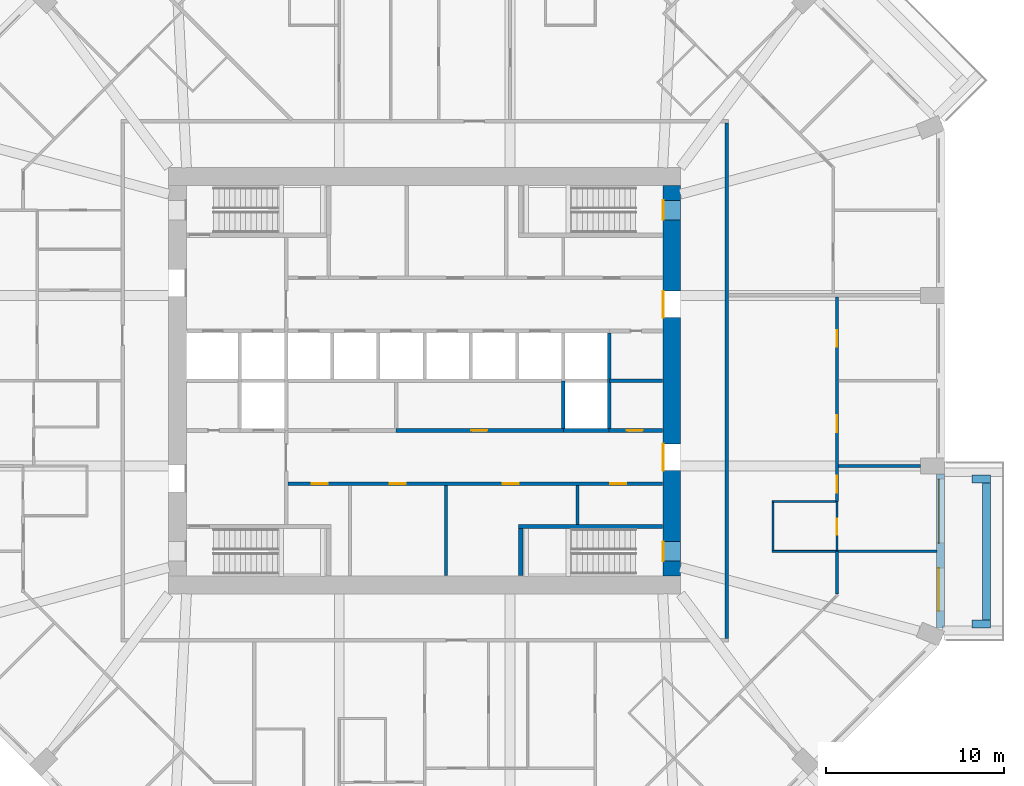
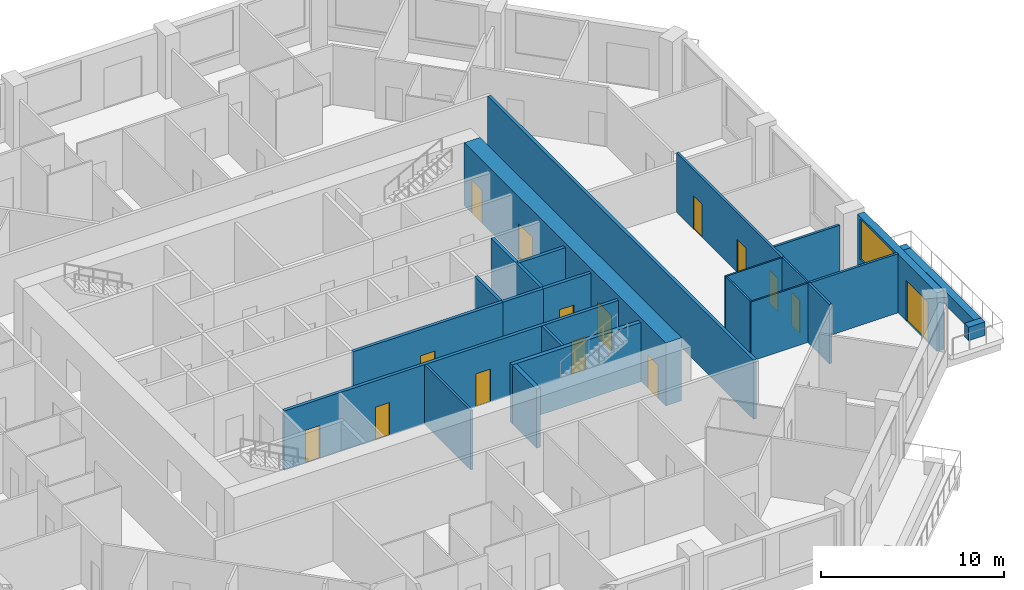
# One storey, part 6 of 13: 25 walls, 15 doors, 1 window, 16 openings.
"""IFC4 building model written with IfcOpenShell, lengths in metres."""

from ifc_helpers import new_model, si_unit, direction, frame, frame_2d, origin, place, context, subcontext, project, spatial, rectangle, extrude, material, layer, layer_set, type_object, element, fill, save


model = new_model("IFC4")

# Units and contexts
model_context = context("Model", 3, precision=1e-05, world=origin(), true_north=direction((0.0, 1.0)))
body_context = subcontext(model_context, "Body", "Model", "MODEL_VIEW")
ifc_project = project(units=[si_unit("LENGTHUNIT", "METRE"), si_unit("AREAUNIT", "SQUARE_METRE"), si_unit("VOLUMEUNIT", "CUBIC_METRE"), si_unit("PLANEANGLEUNIT", "RADIAN"), si_unit("MASSUNIT", "GRAM", prefix="KILO")], contexts=[model_context])

# Site, building, storey
site_placement = place(None, origin())
site = spatial("IfcSite", under=ifc_project, at=site_placement, CompositionType="ELEMENT")
building_placement = place(site_placement, origin())
building = spatial("IfcBuilding", under=site, at=building_placement, Name="Msitu Wima Residences", CompositionType="ELEMENT")
storey_placement = place(building_placement, frame((0.0, 0.0, 80.10009765625)))
storey = spatial("IfcBuildingStorey", under=building, at=storey_placement, Name="L18", CompositionType="ELEMENT", Elevation=80.10009765625)

# Walls
ifc_material_1 = material(Name="Facing brick")
ifc_layer_1 = layer(ifc_material_1, 0.06494140625, Name="Facing brick")
ifc_material_2 = material(Name="Concrete C40/50", Category="concrete")
ifc_layer_2 = layer(ifc_material_2, 0.156005859375, Name="Concrete C40/50")
ifc_material_3 = material(Name="Waterproofing membrane")
ifc_layer_3 = layer(ifc_material_3, 0.00390625, Name="Waterproofing membrane")
ifc_material_4 = material(Name="Planting soil and planting")
ifc_layer_4 = layer(ifc_material_4, 0.22509765625, Name="Planting soil and planting")
ifc_layer_set_1 = layer_set([ifc_layer_1, ifc_layer_2, ifc_layer_3, ifc_layer_4], Name="Concrete C40/50")
wall_type_1 = type_object("IfcWallType", Name="Balcony planter PLANTER PL450", PredefinedType="USERDEFINED", material=ifc_layer_set_1)
wall_1_placement = place(storey_placement, frame((31.625, -13.449951171875, 0.0), z_axis=(0.0, 0.0, 1.0), x_axis=(0.0, 1.0, 0.0)))
element("IfcWall", 1, at=wall_1_placement, inside=storey, type_object=wall_type_1, Name="Balcony planter E0 L18", ObjectType="PLANTER", PredefinedType="USERDEFINED", context=body_context, shape_type="SweptSolid", body=[
    extrude(rectangle(XDim=7.699951171875, YDim=0.449951171875, at=frame_2d((3.85009765625, 0.0))), origin(), (0.0, 0.0, 1.0), 0.89990234375),
])
for number, where, z_axis, x_axis, name in (
    (2, (30.800048828125, -13.675048828125, 0.0), (0.0, 0.0, 1.0), (1.0, 0.0, 0.0), "Balcony planter E0 L18"),
    (3, (30.800048828125, -5.52490234375, 0.0), (0.0, 0.0, 1.0), (1.0, 0.0, 0.0), "Balcony planter E0 L18"),
):
    element("IfcWall", number, at=place(storey_placement, frame(where, z_axis=z_axis, x_axis=x_axis)), inside=storey, type_object=wall_type_1, Name=name, ObjectType="PLANTER", PredefinedType="USERDEFINED", context=body_context, shape_type="SweptSolid", body=[
        extrude(rectangle(XDim=1.050048828125, YDim=0.449951171875, at=frame_2d((0.52490234375, 0.0))), origin(), (0.0, 0.0, 1.0), 0.89990234375),
    ])

# Wall, openings, door, window
ifc_material_5 = material(Name="Brick (red buff mix)", Category="masonry")
ifc_layer_5 = layer(ifc_material_5, 0.449951171875)
ifc_layer_set_2 = layer_set([ifc_layer_5], Name="Brick (red buff mix)")
wall_type_2 = type_object("IfcWallType", Name="Brick infill wall BW450", PredefinedType="SOLIDWALL", material=ifc_layer_set_2)
wall_2_placement = place(storey_placement, frame((29.02490234375, -13.912841796875, 0.0), z_axis=(0.0, 0.0, 1.0), x_axis=(0.0, 1.0, 0.0)))
wall_2 = element("IfcWall", 4, at=wall_2_placement, inside=storey, type_object=wall_type_2, Name="Brick infill wall L18 E0", PredefinedType="SOLIDWALL", context=body_context, shape_type="SweptSolid", body=[
    extrude(rectangle(XDim=8.662841796875, YDim=0.449951171875, at=frame_2d((4.33154296875, 0.0))), origin(), (0.0, 0.0, 1.0), 3.89990234375),
])
opening_1_placement = place(wall_2_placement, frame((0.9658203125, 0.0, 0.0)))
opening_1 = element("IfcOpeningElement", 5, at=opening_1_placement, cuts=wall_2, Name="Opening D18-20.001", PredefinedType="OPENING", context=body_context, shape_type="SweptSolid", body=[
    extrude(rectangle(XDim=2.39990234375, YDim=2.699951171875, at=frame_2d((1.199951171875, 1.35009765625))), frame((0.0, 0.23486328125, 0.0), z_axis=(0.0, -1.0, 0.0), x_axis=(1.0, 0.0, 0.0)), (0.0, 0.0, 1.0), 0.469970703125),
])
opening_2_placement = place(wall_2_placement, frame((4.781494140625, 0.0, 1.050048828125)))
opening_2 = element("IfcOpeningElement", 6, at=opening_2_placement, cuts=wall_2, Name="Opening W18-20.001", PredefinedType="OPENING", context=body_context, shape_type="SweptSolid", body=[
    extrude(rectangle(XDim=3.60009765625, YDim=2.699951171875, at=frame_2d((1.800048828125, 1.35009765625))), frame((0.0, 0.23486328125, 0.0), z_axis=(0.0, -1.0, 0.0), x_axis=(1.0, 0.0, 0.0)), (0.0, 0.0, 1.0), 0.469970703125),
])
ifc_material_6 = material(Name="Anodised aluminium, bronze finish, clear low-emissivity double glazing", Category="aluminium")
door_type_1 = type_object("IfcDoorType", Name="Balcony door D2400x2700", OperationType="SLIDING_TO_LEFT", PredefinedType="DOOR", material=ifc_material_6)
door_1_placement = place(opening_1_placement, origin())
door_1 = element("IfcDoor", 7, at=door_1_placement, inside=storey, type_object=door_type_1, Name="Balcony door L18 E0", OperationType="SINGLE_SWING_LEFT", OverallHeight=2.699951171875, OverallWidth=2.39990234375, PredefinedType="DOOR", context=body_context, shape_type="SweptSolid", body=[
    extrude(rectangle(XDim=2.39990234375, YDim=2.699951171875, at=frame_2d((1.199951171875, 1.35009765625))), frame((0.0, 0.1298828125, 0.0), z_axis=(0.0, -1.0, 0.0), x_axis=(1.0, 0.0, 0.0)), (0.0, 0.0, 1.0), 0.050048828125),
])
fill(opening_1, door_1)
window_type = type_object("IfcWindowType", Name="Window W3600x2700", PartitioningType="DOUBLE_PANEL_VERTICAL", PredefinedType="WINDOW", material=ifc_material_6)
window_placement = place(opening_2_placement, origin())
window = element("IfcWindow", 8, at=window_placement, inside=storey, type_object=window_type, Name="Window L18 E0.2", OverallHeight=2.699951171875, OverallWidth=3.60009765625, PartitioningType="SINGLE_PANEL", PredefinedType="WINDOW", context=body_context, shape_type="SweptSolid", body=[
    extrude(rectangle(XDim=3.60009765625, YDim=2.699951171875, at=frame_2d((1.800048828125, 1.35009765625))), frame((0.0, 0.135009765625, 0.0), z_axis=(0.0, -1.0, 0.0), x_axis=(1.0, 0.0, 0.0)), (0.0, 0.0, 1.0), 0.06005859375),
])
fill(opening_2, window)

# Wall, openings, doors
ifc_material_7 = material(Name="Concrete C80/95", Category="concrete")
ifc_layer_6 = layer(ifc_material_7, 1.0)
ifc_layer_set_3 = layer_set([ifc_layer_6], Name="Concrete C80/95")
wall_type_3 = type_object("IfcWallType", Name="Core wall CW1000 C80/95", PredefinedType="SHEAR", material=ifc_layer_set_3)
wall_3_placement = place(storey_placement, frame((13.89990234375, -11.0, 0.0), z_axis=(0.0, 0.0, 1.0), x_axis=(0.0, 1.0, 0.0)))
wall_3 = element("IfcWall", 9, at=wall_3_placement, inside=storey, type_object=wall_type_3, Name="Core wall", PredefinedType="SHEAR", context=body_context, shape_type="SweptSolid", body=[
    extrude(rectangle(XDim=22.0, YDim=1.0, at=frame_2d((11.0, 0.0))), origin(), (0.0, 0.0, 1.0), 4.199951171875),
])
opening_3_placement = place(wall_3_placement, frame((20.050048828125, 0.0, 0.0)))
opening_3 = element("IfcOpeningElement", 10, at=opening_3_placement, cuts=wall_3, Name="Opening D18-20.035", PredefinedType="OPENING", context=body_context, shape_type="SweptSolid", body=[
    extrude(rectangle(XDim=1.10009765625, YDim=2.199951171875, at=frame_2d((0.550048828125, 1.10009765625))), frame((0.0, 0.510009765625, 0.0), z_axis=(0.0, -1.0, 0.0), x_axis=(1.0, 0.0, 0.0)), (0.0, 0.0, 1.0), 1.02001953125),
])
opening_4_placement = place(wall_3_placement, frame((0.85009765625, 0.0, 0.0)))
opening_4 = element("IfcOpeningElement", 11, at=opening_4_placement, cuts=wall_3, Name="Opening D18-20.036", PredefinedType="OPENING", context=body_context, shape_type="SweptSolid", body=[
    extrude(rectangle(XDim=1.10009765625, YDim=2.199951171875, at=frame_2d((0.550048828125, 1.10009765625))), frame((0.0, 0.510009765625, 0.0), z_axis=(0.0, -1.0, 0.0), x_axis=(1.0, 0.0, 0.0)), (0.0, 0.0, 1.0), 1.02001953125),
])
opening_5_placement = place(wall_3_placement, frame((14.550048828125, 0.0, 0.0)))
opening_5 = element("IfcOpeningElement", 12, at=opening_5_placement, cuts=wall_3, Name="Opening D18-20.025", PredefinedType="OPENING", context=body_context, shape_type="SweptSolid", body=[
    extrude(rectangle(XDim=1.5, YDim=2.39990234375, at=frame_2d((0.75, 1.199951171875))), frame((0.0, 0.510009765625, 0.0), z_axis=(0.0, -1.0, 0.0), x_axis=(1.0, 0.0, 0.0)), (0.0, 0.0, 1.0), 1.02001953125),
])
opening_6_placement = place(wall_3_placement, frame((5.949951171875, 0.0, 0.0)))
opening_6 = element("IfcOpeningElement", 13, at=opening_6_placement, cuts=wall_3, Name="Opening D18-20.026", PredefinedType="OPENING", context=body_context, shape_type="SweptSolid", body=[
    extrude(rectangle(XDim=1.5, YDim=2.39990234375, at=frame_2d((0.75, 1.199951171875))), frame((0.0, 0.510009765625, 0.0), z_axis=(0.0, -1.0, 0.0), x_axis=(1.0, 0.0, 0.0)), (0.0, 0.0, 1.0), 1.02001953125),
])
ifc_material_8 = material(Name="Steel framed glazed door, fire resisting", Category="steel")
door_type_2 = type_object("IfcDoorType", Name="Lobby door D07 1500x2400", OperationType="DOUBLE_DOOR_SINGLE_SWING", PredefinedType="DOOR", material=ifc_material_8)
door_2_placement = place(opening_5_placement, origin())
door_2 = element("IfcDoor", 14, at=door_2_placement, inside=storey, type_object=door_type_2, Name="Lobby door", OperationType="DOUBLE_DOOR_SINGLE_SWING", OverallHeight=2.39990234375, OverallWidth=1.5, PredefinedType="DOOR", context=body_context, shape_type="SweptSolid", body=[
    extrude(rectangle(XDim=1.5, YDim=2.39990234375, at=frame_2d((0.75, 1.199951171875))), frame((0.0, 0.4951171875, 0.0), z_axis=(0.0, -1.0, 0.0), x_axis=(1.0, 0.0, 0.0)), (0.0, 0.0, 1.0), 0.050048828125),
])
fill(opening_5, door_2)
door_3_placement = place(opening_6_placement, origin())
door_3 = element("IfcDoor", 15, at=door_3_placement, inside=storey, type_object=door_type_2, Name="Lobby door", OperationType="DOUBLE_DOOR_SINGLE_SWING", OverallHeight=2.39990234375, OverallWidth=1.5, PredefinedType="DOOR", context=body_context, shape_type="SweptSolid", body=[
    extrude(rectangle(XDim=1.5, YDim=2.39990234375, at=frame_2d((0.75, 1.199951171875))), frame((0.0, 0.4951171875, 0.0), z_axis=(0.0, -1.0, 0.0), x_axis=(1.0, 0.0, 0.0)), (0.0, 0.0, 1.0), 0.050048828125),
])
fill(opening_6, door_3)
ifc_material_9 = material(Name="Steel door, fire resisting, panic bar", Category="steel")
door_type_3 = type_object("IfcDoorType", Name="Stair door D06 1100x2200", OperationType="SINGLE_SWING_LEFT", PredefinedType="DOOR", material=ifc_material_9)
door_4_placement = place(opening_3_placement, origin())
door_4 = element("IfcDoor", 16, at=door_4_placement, inside=storey, type_object=door_type_3, Name="Stair door", OperationType="SINGLE_SWING_LEFT", OverallHeight=2.199951171875, OverallWidth=1.10009765625, PredefinedType="DOOR", context=body_context, shape_type="SweptSolid", body=[
    extrude(rectangle(XDim=1.10009765625, YDim=2.199951171875, at=frame_2d((0.550048828125, 1.10009765625))), frame((0.0, 0.4951171875, 0.0), z_axis=(0.0, -1.0, 0.0), x_axis=(1.0, 0.0, 0.0)), (0.0, 0.0, 1.0), 0.050048828125),
])
fill(opening_3, door_4)
door_5_placement = place(opening_4_placement, origin())
door_5 = element("IfcDoor", 17, at=door_5_placement, inside=storey, type_object=door_type_3, Name="Stair door", OperationType="SINGLE_SWING_RIGHT", OverallHeight=2.199951171875, OverallWidth=1.10009765625, PredefinedType="DOOR", context=body_context, shape_type="SweptSolid", body=[
    extrude(rectangle(XDim=1.10009765625, YDim=2.199951171875, at=frame_2d((0.550048828125, 1.10009765625))), frame((0.0, 0.4951171875, 0.0), z_axis=(0.0, -1.0, 0.0), x_axis=(1.0, 0.0, 0.0)), (0.0, 0.0, 1.0), 0.050048828125),
])
fill(opening_4, door_5)

ifc_material_10 = material(Name="Plaster")
ifc_layer_7 = layer(ifc_material_10, 0.011962890625, Name="Plaster")
ifc_material_11 = material(Name="Concrete blockwork", Category="masonry")
ifc_layer_8 = layer(ifc_material_11, 0.176025390625, Name="Concrete blockwork")
ifc_layer_9 = layer(ifc_material_10, 0.011962890625, Name="Plaster")
ifc_layer_set_4 = layer_set([ifc_layer_7, ifc_layer_8, ifc_layer_9], Name="Concrete blockwork")
wall_type_4 = type_object("IfcWallType", Name="Corridor wall FW200", PredefinedType="PARTITIONING", material=ifc_layer_set_4)
wall_4_placement = place(storey_placement, frame((-7.699951171875, -5.800048828125, 0.0), z_axis=(0.0, 0.0, 1.0), x_axis=(1.0, 0.0, 0.0)))
wall_4 = element("IfcWall", 18, at=wall_4_placement, inside=storey, type_object=wall_type_4, Name="Corridor wall", PredefinedType="PARTITIONING", context=body_context, shape_type="SweptSolid", body=[
    extrude(rectangle(XDim=21.070068359375, YDim=0.199951171875, at=frame_2d((10.53515625, 0.0))), origin(), (0.0, 0.0, 1.0), 3.949951171875),
])
opening_7_placement = place(wall_4_placement, frame((1.35009765625, 0.0, 0.0)))
opening_7 = element("IfcOpeningElement", 19, at=opening_7_placement, cuts=wall_4, Name="Opening D18-20.021", PredefinedType="OPENING", context=body_context, shape_type="SweptSolid", body=[
    extrude(rectangle(XDim=0.89990234375, YDim=2.199951171875, at=frame_2d((0.449951171875, 1.10009765625))), frame((0.0, 0.10986328125, 0.0), z_axis=(0.0, -1.0, 0.0), x_axis=(1.0, 0.0, 0.0)), (0.0, 0.0, 1.0), 0.219970703125),
])
opening_8_placement = place(wall_4_placement, frame((5.75, 0.0, 0.0)))
opening_8 = element("IfcOpeningElement", 20, at=opening_8_placement, cuts=wall_4, Name="Opening D18-20.022", PredefinedType="OPENING", context=body_context, shape_type="SweptSolid", body=[
    extrude(rectangle(XDim=0.89990234375, YDim=2.199951171875, at=frame_2d((0.449951171875, 1.10009765625))), frame((0.0, 0.10986328125, 0.0), z_axis=(0.0, -1.0, 0.0), x_axis=(1.0, 0.0, 0.0)), (0.0, 0.0, 1.0), 0.219970703125),
])
opening_9_placement = place(wall_4_placement, frame((12.10009765625, 0.0, 0.0)))
opening_9 = element("IfcOpeningElement", 21, at=opening_9_placement, cuts=wall_4, Name="Opening D18-20.023", PredefinedType="OPENING", context=body_context, shape_type="SweptSolid", body=[
    extrude(rectangle(XDim=0.89990234375, YDim=2.199951171875, at=frame_2d((0.449951171875, 1.10009765625))), frame((0.0, 0.10986328125, 0.0), z_axis=(0.0, -1.0, 0.0), x_axis=(1.0, 0.0, 0.0)), (0.0, 0.0, 1.0), 0.219970703125),
])
opening_10_placement = place(wall_4_placement, frame((18.14990234375, 0.0, 0.0)))
opening_10 = element("IfcOpeningElement", 22, at=opening_10_placement, cuts=wall_4, Name="Opening D18-20.024", PredefinedType="OPENING", context=body_context, shape_type="SweptSolid", body=[
    extrude(rectangle(XDim=0.89990234375, YDim=2.199951171875, at=frame_2d((0.449951171875, 1.10009765625))), frame((0.0, 0.10986328125, 0.0), z_axis=(0.0, -1.0, 0.0), x_axis=(1.0, 0.0, 0.0)), (0.0, 0.0, 1.0), 0.219970703125),
])
ifc_material_12 = material(Name="Timber flush door", Category="wood")
door_type_4 = type_object("IfcDoorType", Name="Service door D05 900x2200", OperationType="SINGLE_SWING_LEFT", PredefinedType="DOOR", material=ifc_material_12)
door_6_placement = place(opening_7_placement, origin())
door_6 = element("IfcDoor", 23, at=door_6_placement, inside=storey, type_object=door_type_4, Name="Service door", OperationType="SINGLE_SWING_LEFT", OverallHeight=2.199951171875, OverallWidth=0.89990234375, PredefinedType="DOOR", context=body_context, shape_type="SweptSolid", body=[
    extrude(rectangle(XDim=0.89990234375, YDim=2.199951171875, at=frame_2d((0.449951171875, 1.10009765625))), frame((0.0, 0.02490234375, 0.0), z_axis=(0.0, -1.0, 0.0), x_axis=(1.0, 0.0, 0.0)), (0.0, 0.0, 1.0), 0.050048828125),
])
fill(opening_7, door_6)
door_7_placement = place(opening_8_placement, origin())
door_7 = element("IfcDoor", 24, at=door_7_placement, inside=storey, type_object=door_type_4, Name="Service door", OperationType="SINGLE_SWING_RIGHT", OverallHeight=2.199951171875, OverallWidth=0.89990234375, PredefinedType="DOOR", context=body_context, shape_type="SweptSolid", body=[
    extrude(rectangle(XDim=0.89990234375, YDim=2.199951171875, at=frame_2d((0.449951171875, 1.10009765625))), frame((0.0, 0.02490234375, 0.0), z_axis=(0.0, -1.0, 0.0), x_axis=(1.0, 0.0, 0.0)), (0.0, 0.0, 1.0), 0.050048828125),
])
fill(opening_8, door_7)
door_8_placement = place(opening_9_placement, origin())
door_8 = element("IfcDoor", 25, at=door_8_placement, inside=storey, type_object=door_type_4, Name="Service door", OperationType="SINGLE_SWING_LEFT", OverallHeight=2.199951171875, OverallWidth=0.89990234375, PredefinedType="DOOR", context=body_context, shape_type="SweptSolid", body=[
    extrude(rectangle(XDim=0.89990234375, YDim=2.199951171875, at=frame_2d((0.449951171875, 1.10009765625))), frame((0.0, 0.02490234375, 0.0), z_axis=(0.0, -1.0, 0.0), x_axis=(1.0, 0.0, 0.0)), (0.0, 0.0, 1.0), 0.050048828125),
])
fill(opening_9, door_8)
door_9_placement = place(opening_10_placement, origin())
door_9 = element("IfcDoor", 26, at=door_9_placement, inside=storey, type_object=door_type_4, Name="Service door", OperationType="SINGLE_SWING_RIGHT", OverallHeight=2.199951171875, OverallWidth=0.89990234375, PredefinedType="DOOR", context=body_context, shape_type="SweptSolid", body=[
    extrude(rectangle(XDim=0.89990234375, YDim=2.199951171875, at=frame_2d((0.449951171875, 1.10009765625))), frame((0.0, 0.02490234375, 0.0), z_axis=(0.0, -1.0, 0.0), x_axis=(1.0, 0.0, 0.0)), (0.0, 0.0, 1.0), 0.050048828125),
])
fill(opening_10, door_9)

# Wall, opening, door
wall_5_placement = place(storey_placement, frame((-1.6201171875, -2.800048828125, 0.0), z_axis=(0.0, 0.0, 1.0), x_axis=(1.0, 0.0, 0.0)))
wall_5 = element("IfcWall", 27, at=wall_5_placement, inside=storey, type_object=wall_type_4, Name="Corridor wall", PredefinedType="PARTITIONING", context=body_context, shape_type="SweptSolid", body=[
    extrude(rectangle(XDim=9.440185546875, YDim=0.199951171875, at=frame_2d((4.72021484375, 0.0))), origin(), (0.0, 0.0, 1.0), 3.949951171875),
])
opening_11_placement = place(wall_5_placement, frame((4.25, 0.0, 0.0)))
opening_11 = element("IfcOpeningElement", 28, at=opening_11_placement, cuts=wall_5, Name="Opening D18-20.030", PredefinedType="OPENING", context=body_context, shape_type="SweptSolid", body=[
    extrude(rectangle(XDim=0.89990234375, YDim=2.199951171875, at=frame_2d((0.449951171875, 1.10009765625))), frame((0.0, 0.10986328125, 0.0), z_axis=(0.0, -1.0, 0.0), x_axis=(1.0, 0.0, 0.0)), (0.0, 0.0, 1.0), 0.219970703125),
])
door_10_placement = place(opening_11_placement, origin())
door_10 = element("IfcDoor", 29, at=door_10_placement, inside=storey, type_object=door_type_4, Name="Service door", OperationType="SINGLE_SWING_LEFT", OverallHeight=2.199951171875, OverallWidth=0.89990234375, PredefinedType="DOOR", context=body_context, shape_type="SweptSolid", body=[
    extrude(rectangle(XDim=0.89990234375, YDim=2.199951171875, at=frame_2d((0.449951171875, 1.10009765625))), frame((0.0, 0.02490234375, 0.0), z_axis=(0.0, -1.0, 0.0), x_axis=(1.0, 0.0, 0.0)), (0.0, 0.0, 1.0), 0.050048828125),
])
fill(opening_11, door_10)

# Walls
wall_6_placement = place(storey_placement, frame((17.0, -14.5, 0.0), z_axis=(0.0, 0.0, 1.0), x_axis=(0.0, 1.0, 0.0)))
element("IfcWall", 30, at=wall_6_placement, inside=storey, type_object=wall_type_4, Name="Corridor wall", PredefinedType="PARTITIONING", context=body_context, shape_type="SweptSolid", body=[
    extrude(rectangle(XDim=29.0, YDim=0.199951171875, at=frame_2d((14.5, 0.0))), origin(), (0.0, 0.0, 1.0), 3.949951171875),
])
ifc_layer_10 = layer(ifc_material_10, 0.011962890625, Name="Plaster")
ifc_layer_11 = layer(ifc_material_11, 0.1259765625, Name="Concrete blockwork")
ifc_layer_12 = layer(ifc_material_10, 0.011962890625, Name="Plaster")
ifc_layer_set_5 = layer_set([ifc_layer_10, ifc_layer_11, ifc_layer_12], Name="Concrete blockwork")
wall_type_5 = type_object("IfcWallType", Name="Partition PW150", PredefinedType="PARTITIONING", material=ifc_layer_set_5)
wall_7_placement = place(storey_placement, frame((1.199951171875, -10.969970703125, 0.0), z_axis=(0.0, 0.0, 1.0), x_axis=(0.0, 1.0, 0.0)))
element("IfcWall", 31, at=wall_7_placement, inside=storey, type_object=wall_type_5, Name="Partition", PredefinedType="PARTITIONING", context=body_context, shape_type="SweptSolid", body=[
    extrude(rectangle(XDim=5.070068359375, YDim=0.14990234375, at=frame_2d((2.53515625, 0.0))), origin(), (0.0, 0.0, 1.0), 3.949951171875),
])
wall_8_placement = place(storey_placement, frame((8.60009765625, -8.074951171875, 0.0), z_axis=(0.0, 0.0, 1.0), x_axis=(0.0, 1.0, 0.0)))
element("IfcWall", 32, at=wall_8_placement, inside=storey, type_object=wall_type_5, Name="Partition", PredefinedType="PARTITIONING", context=body_context, shape_type="SweptSolid", body=[
    extrude(rectangle(XDim=2.175048828125, YDim=0.14990234375, at=frame_2d((1.08740234375, 0.0))), origin(), (0.0, 0.0, 1.0), 3.949951171875),
])
wall_9_placement = place(storey_placement, frame((23.179931640625, -9.60009765625, 0.0), z_axis=(0.0, 0.0, 1.0), x_axis=(1.0, 0.0, 0.0)))
element("IfcWall", 33, at=wall_9_placement, inside=storey, type_object=wall_type_5, Name="Partition", PredefinedType="PARTITIONING", context=body_context, shape_type="SweptSolid", body=[
    extrude(rectangle(XDim=5.64501953125, YDim=0.14990234375, at=frame_2d((2.822509765625, 0.0))), origin(), (0.0, 0.0, 1.0), 3.949951171875),
])
wall_10_placement = place(storey_placement, frame((23.199951171875, -12.00537109375, 0.0), z_axis=(0.0, 0.0, 1.0), x_axis=(0.0, 1.0, 0.0)))
element("IfcWall", 34, at=wall_10_placement, inside=storey, type_object=wall_type_5, Name="Partition", PredefinedType="PARTITIONING", context=body_context, shape_type="SweptSolid", body=[
    extrude(rectangle(XDim=2.38525390625, YDim=0.14990234375, at=frame_2d((1.192626953125, 0.0))), origin(), (0.0, 0.0, 1.0), 3.949951171875),
])

# Wall, openings, doors
wall_11_placement = place(storey_placement, frame((23.199951171875, -6.800048828125, 0.0), z_axis=(0.0, 0.0, 1.0), x_axis=(0.0, 1.0, 0.0)))
wall_11 = element("IfcWall", 35, at=wall_11_placement, inside=storey, type_object=wall_type_5, Name="Partition", PredefinedType="PARTITIONING", context=body_context, shape_type="SweptSolid", body=[
    extrude(rectangle(XDim=11.5, YDim=0.14990234375, at=frame_2d((5.75, 0.0))), origin(), (0.0, 0.0, 1.0), 3.949951171875),
])
opening_12_placement = place(wall_11_placement, frame((3.89990234375, 0.0, 0.0)))
opening_12 = element("IfcOpeningElement", 36, at=opening_12_placement, cuts=wall_11, Name="Opening D18-20.075", PredefinedType="OPENING", context=body_context, shape_type="SweptSolid", body=[
    extrude(rectangle(XDim=0.949951171875, YDim=2.199951171875, at=frame_2d((0.47509765625, 1.10009765625))), frame((0.0, 0.0849609375, 0.0), z_axis=(0.0, -1.0, 0.0), x_axis=(1.0, 0.0, 0.0)), (0.0, 0.0, 1.0), 0.169921875),
])
opening_13_placement = place(wall_11_placement, frame((0.5, 0.0, 0.0)))
opening_13 = element("IfcOpeningElement", 37, at=opening_13_placement, cuts=wall_11, Name="Opening D18-20.078", PredefinedType="OPENING", context=body_context, shape_type="SweptSolid", body=[
    extrude(rectangle(XDim=0.949951171875, YDim=2.199951171875, at=frame_2d((0.47509765625, 1.10009765625))), frame((0.0, 0.0849609375, 0.0), z_axis=(0.0, -1.0, 0.0), x_axis=(1.0, 0.0, 0.0)), (0.0, 0.0, 1.0), 0.169921875),
])
opening_14_placement = place(wall_11_placement, frame((8.699951171875, 0.0, 0.0)))
opening_14 = element("IfcOpeningElement", 38, at=opening_14_placement, cuts=wall_11, Name="Opening D18-20.083", PredefinedType="OPENING", context=body_context, shape_type="SweptSolid", body=[
    extrude(rectangle(XDim=0.949951171875, YDim=2.199951171875, at=frame_2d((0.47509765625, 1.10009765625))), frame((0.0, 0.0849609375, 0.0), z_axis=(0.0, -1.0, 0.0), x_axis=(1.0, 0.0, 0.0)), (0.0, 0.0, 1.0), 0.169921875),
])
door_type_5 = type_object("IfcDoorType", Name="Room door D12 950x2200", OperationType="SINGLE_SWING_LEFT", PredefinedType="DOOR", material=ifc_material_12)
door_11_placement = place(opening_12_placement, origin())
door_11 = element("IfcDoor", 39, at=door_11_placement, inside=storey, type_object=door_type_5, Name="Room door", OperationType="SINGLE_SWING_RIGHT", OverallHeight=2.199951171875, OverallWidth=0.949951171875, PredefinedType="DOOR", context=body_context, shape_type="SweptSolid", body=[
    extrude(rectangle(XDim=0.949951171875, YDim=2.199951171875, at=frame_2d((0.47509765625, 1.10009765625))), frame((0.0, 0.02490234375, 0.0), z_axis=(0.0, -1.0, 0.0), x_axis=(1.0, 0.0, 0.0)), (0.0, 0.0, 1.0), 0.050048828125),
])
fill(opening_12, door_11)
door_12_placement = place(opening_13_placement, origin())
door_12 = element("IfcDoor", 40, at=door_12_placement, inside=storey, type_object=door_type_5, Name="Room door", OperationType="SINGLE_SWING_LEFT", OverallHeight=2.199951171875, OverallWidth=0.949951171875, PredefinedType="DOOR", context=body_context, shape_type="SweptSolid", body=[
    extrude(rectangle(XDim=0.949951171875, YDim=2.199951171875, at=frame_2d((0.47509765625, 1.10009765625))), frame((0.0, 0.02490234375, 0.0), z_axis=(0.0, -1.0, 0.0), x_axis=(1.0, 0.0, 0.0)), (0.0, 0.0, 1.0), 0.050048828125),
])
fill(opening_13, door_12)
door_13_placement = place(opening_14_placement, origin())
door_13 = element("IfcDoor", 41, at=door_13_placement, inside=storey, type_object=door_type_5, Name="Room door", OperationType="SINGLE_SWING_RIGHT", OverallHeight=2.199951171875, OverallWidth=0.949951171875, PredefinedType="DOOR", context=body_context, shape_type="SweptSolid", body=[
    extrude(rectangle(XDim=0.949951171875, YDim=2.199951171875, at=frame_2d((0.47509765625, 1.10009765625))), frame((0.0, 0.02490234375, 0.0), z_axis=(0.0, -1.0, 0.0), x_axis=(1.0, 0.0, 0.0)), (0.0, 0.0, 1.0), 0.050048828125),
])
fill(opening_14, door_13)

# Wall
wall_12_placement = place(storey_placement, frame((23.27490234375, -4.800048828125, 0.0), z_axis=(0.0, 0.0, 1.0), x_axis=(1.0, 0.0, 0.0)))
element("IfcWall", 42, at=wall_12_placement, inside=storey, type_object=wall_type_5, Name="Partition", PredefinedType="PARTITIONING", context=body_context, shape_type="SweptSolid", body=[
    extrude(rectangle(XDim=4.625, YDim=0.14990234375, at=frame_2d((2.3125, 0.0))), origin(), (0.0, 0.0, 1.0), 3.25),
])

# Wall, opening, door
ifc_layer_13 = layer(ifc_material_10, 0.011962890625, Name="Plaster")
ifc_material_13 = material(Name="Reinforced concrete blockwork", Category="masonry")
ifc_layer_14 = layer(ifc_material_13, 0.176025390625, Name="Reinforced concrete blockwork")
ifc_layer_15 = layer(ifc_material_10, 0.011962890625, Name="Plaster")
ifc_layer_set_6 = layer_set([ifc_layer_13, ifc_layer_14, ifc_layer_15], Name="Reinforced concrete blockwork")
wall_type_6 = type_object("IfcWallType", Name="Plant and riser wall PL200", PredefinedType="PARTITIONING", material=ifc_layer_set_6)
wall_13_placement = place(storey_placement, frame((10.3798828125, -2.800048828125, 0.0), z_axis=(0.0, 0.0, 1.0), x_axis=(1.0, 0.0, 0.0)))
wall_13 = element("IfcWall", 43, at=wall_13_placement, inside=storey, type_object=wall_type_6, Name="Plant and riser wall", PredefinedType="PARTITIONING", context=body_context, shape_type="SweptSolid", body=[
    extrude(rectangle(XDim=2.990234375, YDim=0.199951171875, at=frame_2d((1.4951171875, 0.0))), origin(), (0.0, 0.0, 1.0), 3.949951171875),
])
opening_15_placement = place(wall_13_placement, frame((1.0, 0.0, 0.0)))
opening_15 = element("IfcOpeningElement", 44, at=opening_15_placement, cuts=wall_13, Name="Opening D18-20.011", PredefinedType="OPENING", context=body_context, shape_type="SweptSolid", body=[
    extrude(rectangle(XDim=0.89990234375, YDim=2.199951171875, at=frame_2d((0.449951171875, 1.10009765625))), frame((0.0, 0.10986328125, 0.0), z_axis=(0.0, -1.0, 0.0), x_axis=(1.0, 0.0, 0.0)), (0.0, 0.0, 1.0), 0.219970703125),
])
door_14_placement = place(opening_15_placement, origin())
door_14 = element("IfcDoor", 45, at=door_14_placement, inside=storey, type_object=door_type_4, Name="Service door", OperationType="SINGLE_SWING_LEFT", OverallHeight=2.199951171875, OverallWidth=0.89990234375, PredefinedType="DOOR", context=body_context, shape_type="SweptSolid", body=[
    extrude(rectangle(XDim=0.89990234375, YDim=2.199951171875, at=frame_2d((0.449951171875, 1.10009765625))), frame((0.0, 0.02490234375, 0.0), z_axis=(0.0, -1.0, 0.0), x_axis=(1.0, 0.0, 0.0)), (0.0, 0.0, 1.0), 0.050048828125),
])
fill(opening_15, door_14)

# Walls
wall_14_placement = place(storey_placement, frame((10.39990234375, 0.0, 0.0), z_axis=(0.0, 0.0, 1.0), x_axis=(1.0, 0.0, 0.0)))
element("IfcWall", 46, at=wall_14_placement, inside=storey, type_object=wall_type_6, Name="Plant and riser wall", PredefinedType="PARTITIONING", context=body_context, shape_type="SweptSolid", body=[
    extrude(rectangle(XDim=2.97021484375, YDim=0.199951171875, at=frame_2d((1.485107421875, 0.0))), origin(), (0.0, 0.0, 1.0), 3.949951171875),
])
ifc_material_14 = material(Name="Fire-rated board")
ifc_layer_16 = layer(ifc_material_14, 0.02490234375, Name="Fire-rated board")
ifc_material_15 = material(Name="Light-gauge stud framing with mineral wool")
ifc_layer_17 = layer(ifc_material_15, 0.14990234375, Name="Light-gauge stud framing with mineral wool")
ifc_layer_18 = layer(ifc_material_14, 0.02490234375, Name="Fire-rated board")
ifc_layer_set_7 = layer_set([ifc_layer_16, ifc_layer_17, ifc_layer_18], Name="Light-gauge stud framing with mineral wool")
wall_type_7 = type_object("IfcWallType", Name="Shaft wall SH200", PredefinedType="PARTITIONING", material=ifc_layer_set_7)
wall_15_placement = place(storey_placement, frame((7.800048828125, -2.699951171875, 0.0), z_axis=(0.0, 0.0, 1.0), x_axis=(0.0, 1.0, 0.0)))
element("IfcWall", 47, at=wall_15_placement, inside=storey, type_object=wall_type_7, Name="Shaft wall", PredefinedType="PARTITIONING", context=body_context, shape_type="SweptSolid", body=[
    extrude(rectangle(XDim=2.699951171875, YDim=0.199951171875, at=frame_2d((1.35009765625, 0.0))), origin(), (0.0, 0.0, 1.0), 3.949951171875),
])
wall_16_placement = place(storey_placement, frame((7.820068359375, -2.800048828125, 0.0), z_axis=(0.0, 0.0, 1.0), x_axis=(1.0, 0.0, 0.0)))
element("IfcWall", 48, at=wall_16_placement, inside=storey, type_object=wall_type_7, Name="Shaft wall", PredefinedType="PARTITIONING", context=body_context, shape_type="SweptSolid", body=[
    extrude(rectangle(XDim=2.559814453125, YDim=0.199951171875, at=frame_2d((1.27978515625, 0.0))), origin(), (0.0, 0.0, 1.0), 3.949951171875),
])
wall_17_placement = place(storey_placement, frame((10.39990234375, -2.699951171875, 0.0), z_axis=(0.0, 0.0, 1.0), x_axis=(0.0, 1.0, 0.0)))
element("IfcWall", 49, at=wall_17_placement, inside=storey, type_object=wall_type_7, Name="Shaft wall", PredefinedType="PARTITIONING", context=body_context, shape_type="SweptSolid", body=[
    extrude(rectangle(XDim=5.39990234375, YDim=0.199951171875, at=frame_2d((2.699951171875, 0.0))), origin(), (0.0, 0.0, 1.0), 3.949951171875),
])
ifc_material_16 = material(Name="Concrete C50/60", Category="concrete")
ifc_layer_19 = layer(ifc_material_16, 0.25)
ifc_layer_set_8 = layer_set([ifc_layer_19], Name="Concrete C50/60")
wall_type_8 = type_object("IfcWallType", Name="Stair enclosure wall SW250", PredefinedType="SHEAR", material=ifc_layer_set_8)
wall_18_placement = place(storey_placement, frame((5.39990234375, -10.969970703125, 0.0), z_axis=(0.0, 0.0, 1.0), x_axis=(0.0, 1.0, 0.0)))
element("IfcWall", 50, at=wall_18_placement, inside=storey, type_object=wall_type_8, Name="Stair enclosure wall", PredefinedType="SHEAR", context=body_context, shape_type="SweptSolid", body=[
    extrude(rectangle(XDim=2.64501953125, YDim=0.25, at=frame_2d((1.322509765625, 0.0))), origin(), (0.0, 0.0, 1.0), 3.949951171875),
])
wall_19_placement = place(storey_placement, frame((5.27490234375, -8.199951171875, 0.0), z_axis=(0.0, 0.0, 1.0), x_axis=(1.0, 0.0, 0.0)))
element("IfcWall", 51, at=wall_19_placement, inside=storey, type_object=wall_type_8, Name="Stair enclosure wall", PredefinedType="SHEAR", context=body_context, shape_type="SweptSolid", body=[
    extrude(rectangle(XDim=8.09521484375, YDim=0.25, at=frame_2d((4.047607421875, 0.0))), origin(), (0.0, 0.0, 1.0), 3.949951171875),
])
ifc_material_17 = material(Name="Ceramic tiles")
ifc_layer_20 = layer(ifc_material_17, 0.008056640625, Name="Ceramic tiles")
ifc_material_18 = material(Name="Moisture-resistant board")
ifc_layer_21 = layer(ifc_material_18, 0.012451171875, Name="Moisture-resistant board")
ifc_layer_22 = layer(ifc_material_15, 0.06689453125, Name="Light-gauge stud framing with mineral wool")
ifc_layer_23 = layer(ifc_material_18, 0.012451171875, Name="Moisture-resistant board")
ifc_layer_set_9 = layer_set([ifc_layer_20, ifc_layer_21, ifc_layer_22, ifc_layer_23], Name="Light-gauge stud framing with mineral wool")
wall_type_9 = type_object("IfcWallType", Name="Wet wall PW100", PredefinedType="PARTITIONING", material=ifc_layer_set_9)
wall_20_placement = place(storey_placement, frame((19.60009765625, -9.550048828125, 0.0), z_axis=(0.0, 0.0, 1.0), x_axis=(0.0, 1.0, 0.0)))
element("IfcWall", 52, at=wall_20_placement, inside=storey, type_object=wall_type_9, Name="Wet wall", PredefinedType="PARTITIONING", context=body_context, shape_type="SweptSolid", body=[
    extrude(rectangle(XDim=2.699951171875, YDim=0.10009765625, at=frame_2d((1.35009765625, 0.0))), origin(), (0.0, 0.0, 1.0), 3.949951171875),
])
wall_21_placement = place(storey_placement, frame((19.550048828125, -9.60009765625, 0.0), z_axis=(0.0, 0.0, 1.0), x_axis=(1.0, 0.0, 0.0)))
element("IfcWall", 53, at=wall_21_placement, inside=storey, type_object=wall_type_9, Name="Wet wall", PredefinedType="PARTITIONING", context=body_context, shape_type="SweptSolid", body=[
    extrude(rectangle(XDim=3.6298828125, YDim=0.10009765625, at=frame_2d((1.81494140625, 0.0))), origin(), (0.0, 0.0, 1.0), 3.949951171875),
])
wall_22_placement = place(storey_placement, frame((19.550048828125, -6.800048828125, 0.0), z_axis=(0.0, 0.0, 1.0), x_axis=(1.0, 0.0, 0.0)))
element("IfcWall", 54, at=wall_22_placement, inside=storey, type_object=wall_type_9, Name="Wet wall", PredefinedType="PARTITIONING", context=body_context, shape_type="SweptSolid", body=[
    extrude(rectangle(XDim=3.574951171875, YDim=0.10009765625, at=frame_2d((1.78759765625, 0.0))), origin(), (0.0, 0.0, 1.0), 3.949951171875),
])

# Wall, opening, door
wall_23_placement = place(storey_placement, frame((23.199951171875, -9.6201171875, 0.0), z_axis=(0.0, 0.0, 1.0), x_axis=(0.0, 1.0, 0.0)))
wall_23 = element("IfcWall", 55, at=wall_23_placement, inside=storey, type_object=wall_type_9, Name="Wet wall", PredefinedType="PARTITIONING", context=body_context, shape_type="SweptSolid", body=[
    extrude(rectangle(XDim=2.820068359375, YDim=0.10009765625, at=frame_2d((1.41015625, 0.0))), origin(), (0.0, 0.0, 1.0), 3.949951171875),
])
opening_16_placement = place(wall_23_placement, frame((0.949951171875, 0.0, 0.0)))
opening_16 = element("IfcOpeningElement", 56, at=opening_16_placement, cuts=wall_23, Name="Opening D18-20.079", PredefinedType="OPENING", context=body_context, shape_type="SweptSolid", body=[
    extrude(rectangle(XDim=0.89990234375, YDim=2.199951171875, at=frame_2d((0.449951171875, 1.10009765625))), frame((0.0, 0.06005859375, 0.0), z_axis=(0.0, -1.0, 0.0), x_axis=(1.0, 0.0, 0.0)), (0.0, 0.0, 1.0), 0.1201171875),
])
ifc_material_19 = material(Name="Timber flush door, moisture resistant", Category="wood")
door_type_6 = type_object("IfcDoorType", Name="Bathroom door D03 900x2200", OperationType="SINGLE_SWING_LEFT", PredefinedType="DOOR", material=ifc_material_19)
door_15_placement = place(opening_16_placement, origin())
door_15 = element("IfcDoor", 57, at=door_15_placement, inside=storey, type_object=door_type_6, Name="Bathroom door", OperationType="SINGLE_SWING_LEFT", OverallHeight=2.199951171875, OverallWidth=0.89990234375, PredefinedType="DOOR", context=body_context, shape_type="SweptSolid", body=[
    extrude(rectangle(XDim=0.89990234375, YDim=2.199951171875, at=frame_2d((0.449951171875, 1.10009765625))), frame((0.0, 0.02490234375, 0.0), z_axis=(0.0, -1.0, 0.0), x_axis=(1.0, 0.0, 0.0)), (0.0, 0.0, 1.0), 0.050048828125),
])
fill(opening_16, door_15)

save(model, "model.ifc")
